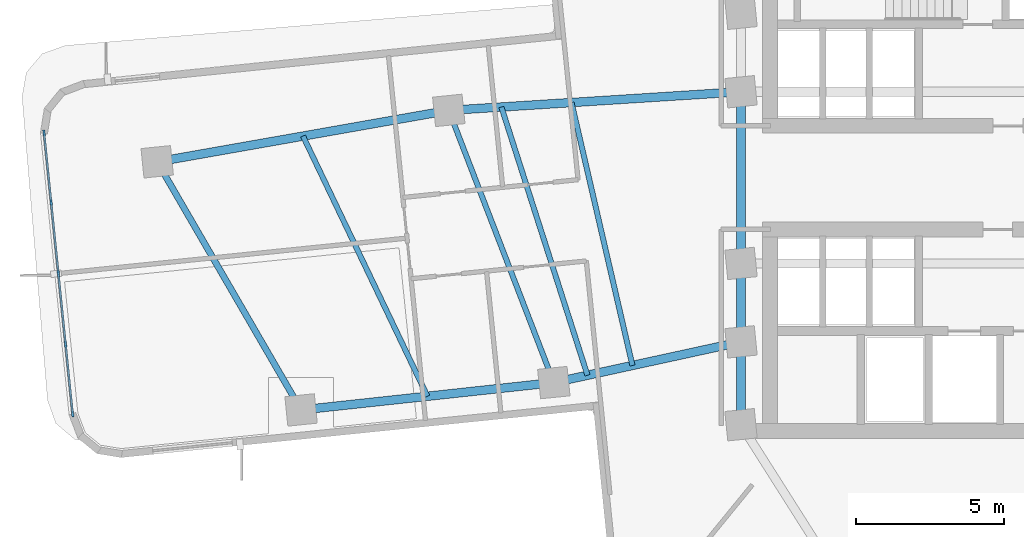
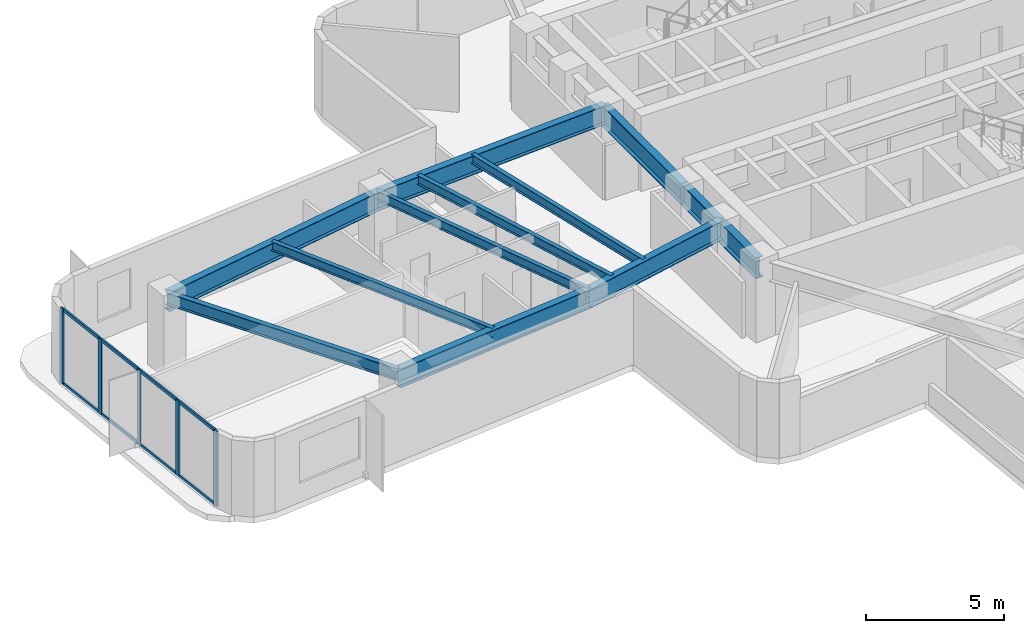
# One storey, part 2 of 14: 13 members, 12 beams, 1 element without a shape of its own.
"""IFC4 building model written with IfcOpenShell, lengths in metres."""

from ifc_helpers import new_model, si_unit, direction, frame, origin, origin_2d, place, context, subcontext, project, spatial, rectangle, i_section, extrude, material, layer, layer_set, material_profile, profile_set, type_object, element, aggregate, save


model = new_model("IFC4")

# Units and contexts
model_context = context("Model", 3, precision=1e-05, world=origin(), true_north=direction((0.0, 1.0)))
body_context = subcontext(model_context, "Body", "Model", "MODEL_VIEW")
ifc_project = project(units=[si_unit("LENGTHUNIT", "METRE"), si_unit("AREAUNIT", "SQUARE_METRE"), si_unit("VOLUMEUNIT", "CUBIC_METRE"), si_unit("PLANEANGLEUNIT", "RADIAN"), si_unit("MASSUNIT", "GRAM", prefix="KILO")], contexts=[model_context])

# Site, building, storey
site_placement = place(None, origin())
site = spatial("IfcSite", under=ifc_project, at=site_placement, CompositionType="ELEMENT")
building_placement = place(site_placement, origin())
building = spatial("IfcBuilding", under=site, at=building_placement, Name="Solmarez Civic Tower", CompositionType="ELEMENT")
storey_placement = place(building_placement, frame((0.0, 0.0, 67.679931640625)))
storey = spatial("IfcBuildingStorey", under=building, at=storey_placement, Name="L17", CompositionType="ELEMENT", Elevation=67.679931640625)

# Beams
ifc_material_1 = material(Name="Steel S355", Category="steel")
ifc_material_profile_1 = material_profile(ifc_material_1, i_section(OverallWidth=0.178955078125, OverallDepth=0.409912109375, WebThickness=0.0087890625, FlangeThickness=0.014404296875, at=origin_2d()), Name="W16X45")
ifc_profile_set_1 = profile_set([ifc_material_profile_1], Name="Steel S355")
beam_type_1 = type_object("IfcBeamType", Name="BM-JS-W16X45", PredefinedType="JOIST", material=ifc_profile_set_1)
beam_1_placement = place(storey_placement, frame((-18.72412109375, 2.27099609375, 3.135009765625), z_axis=(0.359984466214, -0.932958297077, 0.0), x_axis=(0.932958297077, 0.359984466214, 0.0)))
element("IfcBeam", 1, at=beam_1_placement, inside=storey, type_object=beam_type_1, Name="L17 Secondary Floor Joist BM-L17-WA-T1", PredefinedType="JOIST", context=body_context, shape_type="SweptSolid", body=[
    extrude(i_section(OverallWidth=0.178955078125, OverallDepth=0.409912109375, WebThickness=0.0087890625, FlangeThickness=0.014404296875, at=origin_2d()), origin(), (0.0, 0.0, 1.0), 9.85888671875),
])
beam_2_placement = place(storey_placement, frame((-23.64990234375, 1.402099609375, 3.135009765625), z_axis=(0.431491843414, -0.902116837814, 0.0), x_axis=(0.902116837814, 0.431491843414, 0.0)))
element("IfcBeam", 2, at=beam_2_placement, inside=storey, type_object=beam_type_1, Name="L17 Secondary Floor Joist JS-L17-WA-M2", PredefinedType="JOIST", context=body_context, shape_type="SweptSolid", body=[
    extrude(i_section(OverallWidth=0.178955078125, OverallDepth=0.409912109375, WebThickness=0.0087890625, FlangeThickness=0.014404296875, at=origin_2d()), origin(), (0.0, 0.0, 1.0), 9.744873046875),
])
beam_3_placement = place(storey_placement, frame((-14.576904296875, 2.534912109375, 3.135009765625), z_axis=(0.225762717226, -0.974182321494, 0.0), x_axis=(0.974182321494, 0.225762717226, 0.0)))
element("IfcBeam", 3, at=beam_3_placement, inside=storey, type_object=beam_type_1, Name="L17 Secondary Floor Joist JS-L17-WA-M11", PredefinedType="JOIST", context=body_context, shape_type="SweptSolid", body=[
    extrude(i_section(OverallWidth=0.178955078125, OverallDepth=0.409912109375, WebThickness=0.0087890625, FlangeThickness=0.014404296875, at=origin_2d()), origin(), (0.0, 0.0, 1.0), 9.119384765625),
])
beam_4_placement = place(storey_placement, frame((-16.947021484375, 2.384033203125, 3.135009765625), z_axis=(0.305705295997, -0.952126184914, 0.0), x_axis=(0.952126184914, 0.305705295997, 0.0)))
element("IfcBeam", 4, at=beam_4_placement, inside=storey, type_object=beam_type_1, Name="L17 Secondary Floor Joist JS-L17-WA-M12", PredefinedType="JOIST", context=body_context, shape_type="SweptSolid", body=[
    extrude(i_section(OverallWidth=0.178955078125, OverallDepth=0.409912109375, WebThickness=0.0087890625, FlangeThickness=0.014404296875, at=origin_2d()), origin(), (0.0, 0.0, 1.0), 9.518798828125),
])
ifc_material_profile_2 = material_profile(ifc_material_1, i_section(OverallWidth=0.2919921875, OverallDepth=0.845947265625, WebThickness=0.015380859375, FlangeThickness=0.0244140625, at=origin_2d()), Name="W33X141")
ifc_profile_set_2 = profile_set([ifc_material_profile_2], Name="Steel S355")
beam_type_2 = type_object("IfcBeamType", Name="BM-PR-W33X141", PredefinedType="BEAM", material=ifc_profile_set_2)
beam_5_placement = place(storey_placement, frame((-8.85009765625, 2.89990234375, 2.9169921875), z_axis=(-0.997977751208, -0.063564204508, 0.0), x_axis=(0.063564204508, -0.997977751208, 0.0)))
element("IfcBeam", 5, at=beam_5_placement, inside=storey, type_object=beam_type_2, Name="L17 Primary Floor Beam BM-L17-WA-R1A", PredefinedType="BEAM", context=body_context, shape_type="SweptSolid", body=[
    extrude(i_section(OverallWidth=0.2919921875, OverallDepth=0.845947265625, WebThickness=0.015380859375, FlangeThickness=0.0244140625, at=origin_2d()), origin(), (0.0, 0.0, 1.0), 9.89404296875),
])
beam_6_placement = place(storey_placement, frame((-8.85009765625, -5.550048828125, 2.9169921875), z_axis=(-0.977113347202, -0.212719314402, 0.0), x_axis=(0.212719314402, -0.977113347202, 0.0)))
element("IfcBeam", 6, at=beam_6_placement, inside=storey, type_object=beam_type_2, Name="L17 Primary Floor Beam BM-L17-WA-R1B", PredefinedType="BEAM", context=body_context, shape_type="SweptSolid", body=[
    extrude(i_section(OverallWidth=0.2919921875, OverallDepth=0.845947265625, WebThickness=0.015380859375, FlangeThickness=0.0244140625, at=origin_2d()), origin(), (0.0, 0.0, 1.0), 6.47314453125),
])
beam_7_placement = place(storey_placement, frame((-18.72412109375, 2.27099609375, 2.9169921875), z_axis=(-0.984792402105, -0.173735214497, 0.0), x_axis=(0.173735214497, -0.984792402105, 0.0)))
element("IfcBeam", 7, at=beam_7_placement, inside=storey, type_object=beam_type_2, Name="L17 Primary Floor Beam BM-L17-WA-R2A", PredefinedType="BEAM", context=body_context, shape_type="SweptSolid", body=[
    extrude(i_section(OverallWidth=0.2919921875, OverallDepth=0.845947265625, WebThickness=0.015380859375, FlangeThickness=0.0244140625, at=origin_2d()), origin(), (0.0, 0.0, 1.0), 10.00390625),
])
beam_8_placement = place(storey_placement, frame((-15.175048828125, -6.927001953125, 2.9169921875), z_axis=(-0.994196782435, -0.107576753045, 0.0), x_axis=(0.107576753045, -0.994196782435, 0.0)))
element("IfcBeam", 8, at=beam_8_placement, inside=storey, type_object=beam_type_2, Name="L17 Primary Floor Beam BM-L17-WA-R2B", PredefinedType="BEAM", context=body_context, shape_type="SweptSolid", body=[
    extrude(i_section(OverallWidth=0.2919921875, OverallDepth=0.845947265625, WebThickness=0.015380859375, FlangeThickness=0.0244140625, at=origin_2d()), origin(), (0.0, 0.0, 1.0), 8.58984375),
])
ifc_material_profile_3 = material_profile(ifc_material_1, i_section(OverallWidth=0.306884765625, OverallDepth=0.927001953125, WebThickness=0.019287109375, FlangeThickness=0.031982421875, at=origin_2d()), Name="W36X194")
ifc_profile_set_3 = profile_set([ifc_material_profile_3], Name="Steel S355")
beam_type_3 = type_object("IfcBeamType", Name="BM-PR-W36X194", PredefinedType="BEAM", material=ifc_profile_set_3)
beam_9_placement = place(storey_placement, frame((-8.85009765625, -8.35009765625, 2.8759765625), z_axis=(0.0, 1.0, 0.0), x_axis=(-1.0, 0.0, 0.0)))
element("IfcBeam", 9, at=beam_9_placement, inside=storey, type_object=beam_type_3, Name="L17 Primary Floor Beam BM-L17-HC12-HC1", PredefinedType="BEAM", context=body_context, shape_type="SweptSolid", body=[
    extrude(i_section(OverallWidth=0.306884765625, OverallDepth=0.927001953125, WebThickness=0.019287109375, FlangeThickness=0.031982421875, at=origin_2d()), origin(), (0.0, 0.0, 1.0), 2.800048828125),
])
beam_10_placement = place(storey_placement, frame((-8.85009765625, -5.550048828125, 2.8759765625), z_axis=(0.0, 1.0, 0.0), x_axis=(-1.0, 0.0, 0.0)))
element("IfcBeam", 10, at=beam_10_placement, inside=storey, type_object=beam_type_3, Name="L17 Primary Floor Beam BM-L17-HC1-HC2", PredefinedType="BEAM", context=body_context, shape_type="SweptSolid", body=[
    extrude(i_section(OverallWidth=0.306884765625, OverallDepth=0.927001953125, WebThickness=0.019287109375, FlangeThickness=0.031982421875, at=origin_2d()), origin(), (0.0, 0.0, 1.0), 2.650146484375),
])
beam_11_placement = place(storey_placement, frame((-8.85009765625, -2.89990234375, 2.8759765625), z_axis=(0.0, 1.0, 0.0), x_axis=(-1.0, 0.0, 0.0)))
element("IfcBeam", 11, at=beam_11_placement, inside=storey, type_object=beam_type_3, Name="L17 Primary Floor Beam BM-L17-HC2-HC3", PredefinedType="BEAM", context=body_context, shape_type="SweptSolid", body=[
    extrude(i_section(OverallWidth=0.306884765625, OverallDepth=0.927001953125, WebThickness=0.019287109375, FlangeThickness=0.031982421875, at=origin_2d()), origin(), (0.0, 0.0, 1.0), 5.7998046875),
])
ifc_material_profile_4 = material_profile(ifc_material_1, i_section(OverallWidth=0.2109375, OverallDepth=0.5390625, WebThickness=0.01171875, FlangeThickness=0.018798828125, at=origin_2d()), Name="W21X73")
ifc_profile_set_4 = profile_set([ifc_material_profile_4], Name="Steel S355")
beam_type_4 = type_object("IfcBeamType", Name="BM-SP-W21X73", PredefinedType="SPANDREL", material=ifc_profile_set_4)
beam_12_placement = place(storey_placement, frame((-28.575927734375, 0.532958984375, 3.071044921875), z_axis=(0.501571424933, -0.865116238254, 0.0), x_axis=(0.865116238254, 0.501571424933, 0.0)))
element("IfcBeam", 12, at=beam_12_placement, inside=storey, type_object=beam_type_4, Name="L17 Perimeter Spandrel Beam BM-L17-WA-T2", PredefinedType="SPANDREL", context=body_context, shape_type="SweptSolid", body=[
    extrude(i_section(OverallWidth=0.2109375, OverallDepth=0.5390625, WebThickness=0.01171875, FlangeThickness=0.018798828125, at=origin_2d()), origin(), (0.0, 0.0, 1.0), 9.691162109375),
])

# Curtain wall, members
ifc_material_2 = material(Name="Bronze Anodised Aluminium EN AW-6063 T6", Category="aluminium")
ifc_layer = layer(ifc_material_2, 0.199951171875)
ifc_layer_set = layer_set([ifc_layer], Name="Bronze Anodised Aluminium EN AW-6063 T6")
curtain_wall_type = type_object("IfcCurtainWallType", Name="CW-SYS-1", PredefinedType="NOTDEFINED", material=ifc_layer_set)
curtain_wall_placement = place(storey_placement, origin())
curtain_wall = element("IfcCurtainWall", 13, at=curtain_wall_placement, inside=storey, type_object=curtain_wall_type, Name="L17 Stick-Built Curtain Wall 1", PredefinedType="NOTDEFINED")
ifc_material_profile_5 = material_profile(ifc_material_2, rectangle(XDim=0.074951171875, YDim=0.199951171875, at=origin_2d()), Name="CWM-75X200")
ifc_profile_set_5 = profile_set([ifc_material_profile_5], Name="Bronze Anodised Aluminium EN AW-6063 T6")
member_type_1 = type_object("IfcMemberType", Name="CWM-TYPE-1", PredefinedType="MULLION", material=ifc_profile_set_5)
member_1_placement = place(storey_placement, frame((-31.432861328125, -7.98974609375, 0.0), z_axis=(0.0, 0.0, 1.0), x_axis=(-0.994871142596, -0.101150430699, 0.0)))
member_1 = element("IfcMember", 14, at=member_1_placement, type_object=member_type_1, Name="CWS1 mullion 1", PredefinedType="MULLION", context=body_context, shape_type="SweptSolid", body=[
    extrude(rectangle(XDim=0.074951171875, YDim=0.199951171875, at=origin_2d()), origin(), (0.0, 0.0, 1.0), 3.340087890625),
])
member_2_placement = place(storey_placement, frame((-31.67236328125, -5.634521484375, 0.0), z_axis=(0.0, 0.0, 1.0), x_axis=(-0.994871142596, -0.101150430699, 0.0)))
member_2 = element("IfcMember", 15, at=member_2_placement, type_object=member_type_1, Name="CWS1 mullion 2", PredefinedType="MULLION", context=body_context, shape_type="SweptSolid", body=[
    extrude(rectangle(XDim=0.074951171875, YDim=0.199951171875, at=origin_2d()), origin(), (0.0, 0.0, 1.0), 3.340087890625),
])
member_3_placement = place(storey_placement, frame((-31.91552734375, -3.241943359375, 0.0), z_axis=(0.0, 0.0, 1.0), x_axis=(-0.994871142596, -0.101150430699, 0.0)))
member_3 = element("IfcMember", 16, at=member_3_placement, type_object=member_type_1, Name="CWS1 mullion 3", PredefinedType="MULLION", context=body_context, shape_type="SweptSolid", body=[
    extrude(rectangle(XDim=0.074951171875, YDim=0.199951171875, at=origin_2d()), origin(), (0.0, 0.0, 1.0), 3.340087890625),
])
member_4_placement = place(storey_placement, frame((-32.15869140625, -0.849609375, 0.0), z_axis=(0.0, 0.0, 1.0), x_axis=(-0.994871142596, -0.101150430699, 0.0)))
member_4 = element("IfcMember", 17, at=member_4_placement, type_object=member_type_1, Name="CWS1 mullion 4", PredefinedType="MULLION", context=body_context, shape_type="SweptSolid", body=[
    extrude(rectangle(XDim=0.074951171875, YDim=0.199951171875, at=origin_2d()), origin(), (0.0, 0.0, 1.0), 3.340087890625),
])
member_5_placement = place(storey_placement, frame((-32.398193359375, 1.505615234375, 0.0), z_axis=(0.0, 0.0, 1.0), x_axis=(-0.994871142596, -0.101150430699, 0.0)))
member_5 = element("IfcMember", 18, at=member_5_placement, type_object=member_type_1, Name="CWS1 mullion 5", PredefinedType="MULLION", context=body_context, shape_type="SweptSolid", body=[
    extrude(rectangle(XDim=0.074951171875, YDim=0.199951171875, at=origin_2d()), origin(), (0.0, 0.0, 1.0), 3.340087890625),
])
ifc_material_profile_6 = material_profile(ifc_material_2, rectangle(XDim=0.070068359375, YDim=0.139892578125, at=origin_2d()), Name="CWT-70X140")
ifc_profile_set_6 = profile_set([ifc_material_profile_6], Name="Bronze Anodised Aluminium EN AW-6063 T6")
member_type_2 = type_object("IfcMemberType", Name="CWT-TYPE-1", PredefinedType="USERDEFINED", material=ifc_profile_set_6)
member_6_placement = place(storey_placement, frame((-31.4365234375, -7.952392578125, 0.03515625), z_axis=(-0.101180248897, 0.994868110471, 0.0), x_axis=(-0.994868110471, -0.101180248897, 0.0)))
member_6 = element("IfcMember", 19, at=member_6_placement, type_object=member_type_2, Name="CWS1 transom 1.1", ObjectType="TRANSOM", PredefinedType="USERDEFINED", context=body_context, shape_type="SweptSolid", body=[
    extrude(rectangle(XDim=0.070068359375, YDim=0.139892578125, at=origin_2d()), origin(), (0.0, 0.0, 1.0), 2.292236328125),
])
member_7_placement = place(storey_placement, frame((-31.4365234375, -7.952392578125, 3.30517578125), z_axis=(-0.101180248897, 0.994868110471, 0.0), x_axis=(-0.994868110471, -0.101180248897, 0.0)))
member_7 = element("IfcMember", 20, at=member_7_placement, type_object=member_type_2, Name="CWS1 transom 1.2", ObjectType="TRANSOM", PredefinedType="USERDEFINED", context=body_context, shape_type="SweptSolid", body=[
    extrude(rectangle(XDim=0.070068359375, YDim=0.139892578125, at=origin_2d()), origin(), (0.0, 0.0, 1.0), 2.292236328125),
])
member_8_placement = place(storey_placement, frame((-31.676025390625, -5.59716796875, 0.03515625), z_axis=(-0.101122122355, 0.994874020352, 0.0), x_axis=(-0.994874020352, -0.101122122355, 0.0)))
member_8 = element("IfcMember", 21, at=member_8_placement, type_object=member_type_2, Name="CWS1 transom 2.1", ObjectType="TRANSOM", PredefinedType="USERDEFINED", context=body_context, shape_type="SweptSolid", body=[
    extrude(rectangle(XDim=0.070068359375, YDim=0.139892578125, at=origin_2d()), origin(), (0.0, 0.0, 1.0), 2.329833984375),
])
member_9_placement = place(storey_placement, frame((-31.676025390625, -5.59716796875, 3.30517578125), z_axis=(-0.101122122355, 0.994874020352, 0.0), x_axis=(-0.994874020352, -0.101122122355, 0.0)))
member_9 = element("IfcMember", 22, at=member_9_placement, type_object=member_type_2, Name="CWS1 transom 2.2", ObjectType="TRANSOM", PredefinedType="USERDEFINED", context=body_context, shape_type="SweptSolid", body=[
    extrude(rectangle(XDim=0.070068359375, YDim=0.139892578125, at=origin_2d()), origin(), (0.0, 0.0, 1.0), 2.329833984375),
])
member_10_placement = place(storey_placement, frame((-31.919189453125, -3.20458984375, 0.03515625), z_axis=(-0.101225838923, 0.994863472811, 0.0), x_axis=(-0.994863472811, -0.101225838923, 0.0)))
member_10 = element("IfcMember", 23, at=member_10_placement, type_object=member_type_2, Name="CWS1 transom 3.1", ObjectType="TRANSOM", PredefinedType="USERDEFINED", context=body_context, shape_type="SweptSolid", body=[
    extrude(rectangle(XDim=0.070068359375, YDim=0.139892578125, at=origin_2d()), origin(), (0.0, 0.0, 1.0), 2.329833984375),
])
member_11_placement = place(storey_placement, frame((-31.919189453125, -3.20458984375, 3.30517578125), z_axis=(-0.101225838923, 0.994863472811, 0.0), x_axis=(-0.994863472811, -0.101225838923, 0.0)))
member_11 = element("IfcMember", 24, at=member_11_placement, type_object=member_type_2, Name="CWS1 transom 3.2", ObjectType="TRANSOM", PredefinedType="USERDEFINED", context=body_context, shape_type="SweptSolid", body=[
    extrude(rectangle(XDim=0.070068359375, YDim=0.139892578125, at=origin_2d()), origin(), (0.0, 0.0, 1.0), 2.329833984375),
])
member_12_placement = place(storey_placement, frame((-32.16259765625, -0.812255859375, 0.03515625), z_axis=(-0.101169529074, 0.994869200642, 0.0), x_axis=(-0.994869200642, -0.101169529074, 0.0)))
member_12 = element("IfcMember", 25, at=member_12_placement, type_object=member_type_2, Name="CWS1 transom 4.1", ObjectType="TRANSOM", PredefinedType="USERDEFINED", context=body_context, shape_type="SweptSolid", body=[
    extrude(rectangle(XDim=0.070068359375, YDim=0.139892578125, at=origin_2d()), origin(), (0.0, 0.0, 1.0), 2.29248046875),
])
member_13_placement = place(storey_placement, frame((-32.16259765625, -0.812255859375, 3.30517578125), z_axis=(-0.101169529074, 0.994869200642, 0.0), x_axis=(-0.994869200642, -0.101169529074, 0.0)))
member_13 = element("IfcMember", 26, at=member_13_placement, type_object=member_type_2, Name="CWS1 transom 4.2", ObjectType="TRANSOM", PredefinedType="USERDEFINED", context=body_context, shape_type="SweptSolid", body=[
    extrude(rectangle(XDim=0.070068359375, YDim=0.139892578125, at=origin_2d()), origin(), (0.0, 0.0, 1.0), 2.29248046875),
])
aggregate(curtain_wall, [member_1, member_2, member_3, member_4, member_5, member_6, member_7, member_8, member_9, member_10, member_11, member_12, member_13])

save(model, "model.ifc")
